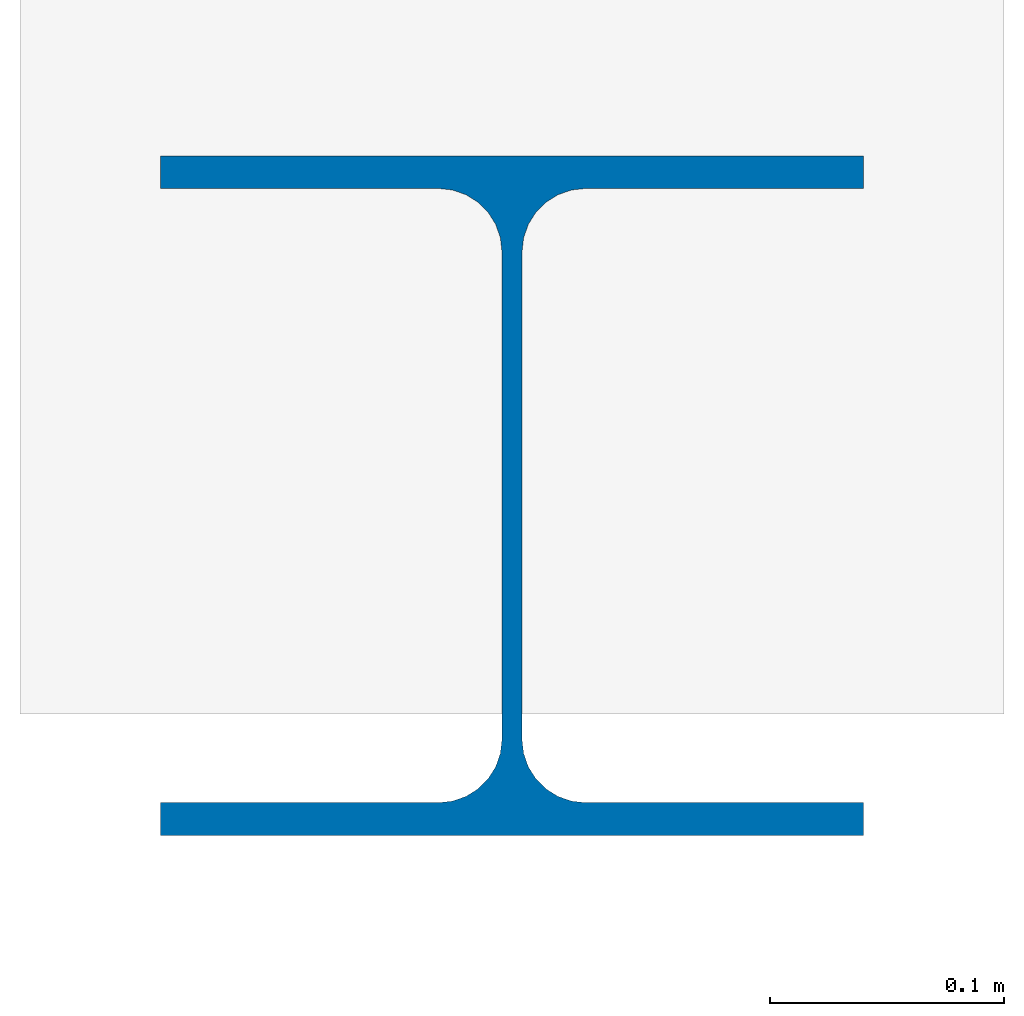
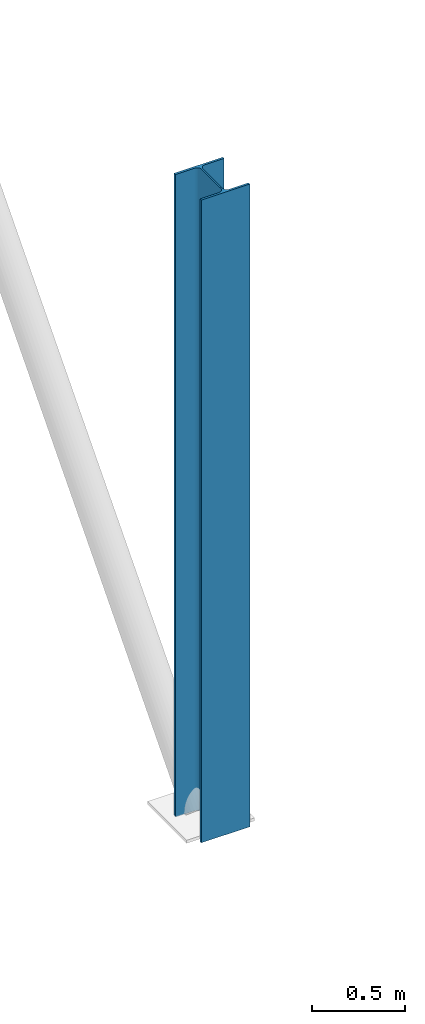
# One storey, part 6 of 60: 1 column.
"""IFC4 building model written with IfcOpenShell, lengths in metres."""

from ifc_helpers import new_model, si_unit, direction, frame, origin, origin_2d, place, context, subcontext, project, spatial, i_section, extrude, material, material_profile, profile_set, type_object, element, save


model = new_model("IFC4")

# Units and contexts
model_context = context("Model", 3, precision=1e-05, world=origin(), true_north=direction((0.0, 1.0)))
body_context = subcontext(model_context, "Body", "Model", "MODEL_VIEW")
ifc_project = project(units=[si_unit("LENGTHUNIT", "METRE"), si_unit("AREAUNIT", "SQUARE_METRE"), si_unit("VOLUMEUNIT", "CUBIC_METRE"), si_unit("PLANEANGLEUNIT", "RADIAN"), si_unit("MASSUNIT", "GRAM", prefix="KILO")], contexts=[model_context])

# Site, building, storey
site_placement = place(None, origin())
site = spatial("IfcSite", under=ifc_project, at=site_placement, CompositionType="ELEMENT")
building_placement = place(site_placement, origin())
building = spatial("IfcBuilding", under=site, at=building_placement, Name="Brisavento Harbour Community Centre", CompositionType="ELEMENT")
storey_placement = place(building_placement, frame((0.0, 0.0, 4.5)))
storey = spatial("IfcBuildingStorey", under=building, at=storey_placement, Name="L01", CompositionType="ELEMENT", Elevation=4.5)

# Column
ifc_material = material(Name="Steel S355", Category="steel")
ifc_material_profile = material_profile(ifc_material, i_section(OverallWidth=0.300048828125, OverallDepth=0.2900390625, WebThickness=0.008544921875, FlangeThickness=0.013916015625, FilletRadius=0.027099609375, at=origin_2d()), Name="Steel S355")
ifc_profile_set = profile_set([ifc_material_profile], Name="Steel S355")
column_type = type_object("IfcColumnType", Name="COL-STL-HEA300", PredefinedType="COLUMN", material=ifc_profile_set)
column_placement = place(storey_placement, frame((172.800048828125, 93.60009765625, 0.0), z_axis=(0.0, 0.0, 1.0), x_axis=(1.0, 0.0, 0.0)))
element("IfcColumn", 1, at=column_placement, inside=storey, type_object=column_type, Name="L01 column V4E-93", PredefinedType="COLUMN", context=body_context, shape_type="SweptSolid", body=[
    extrude(i_section(OverallWidth=0.300048828125, OverallDepth=0.2900390625, WebThickness=0.008544921875, FlangeThickness=0.013916015625, FilletRadius=0.027099609375, at=origin_2d()), origin(), (0.0, 0.0, 1.0), 4.199951171875),
])

save(model, "model.ifc")
